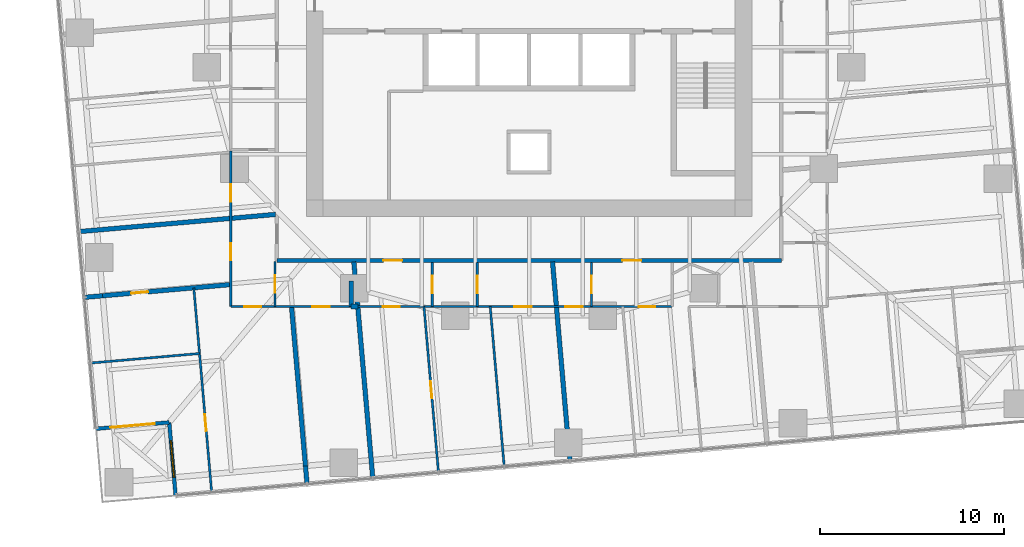
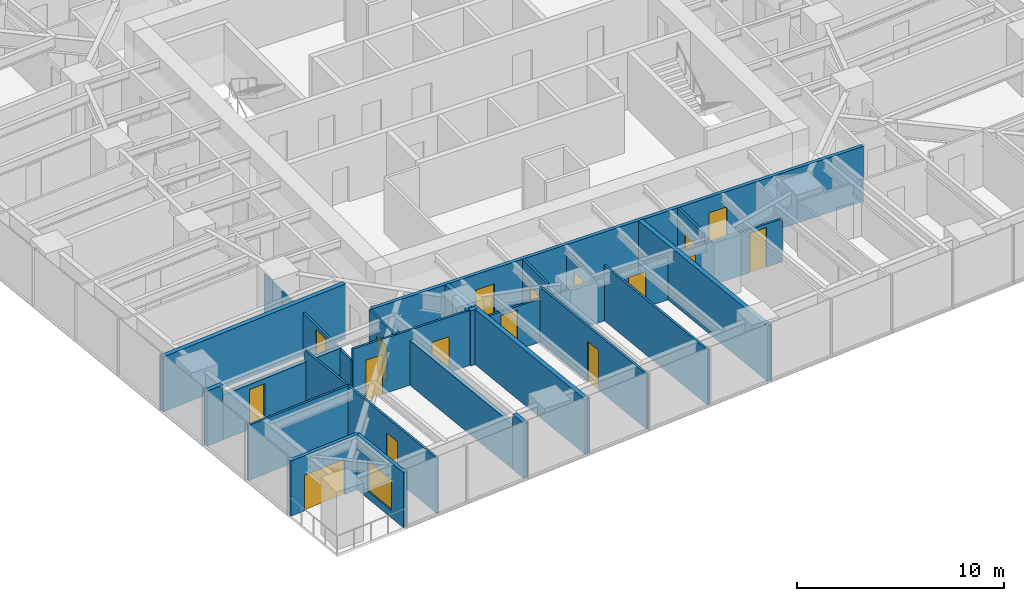
# One storey, part 8 of 14: 23 walls, 18 doors, 1 window, 19 openings.
"""IFC4 building model written with IfcOpenShell, lengths in metres."""

from ifc_helpers import new_model, si_unit, direction, frame, frame_2d, origin, place, context, subcontext, project, spatial, rectangle, extrude, material, layer, layer_set, type_object, element, fill, save


model = new_model("IFC4")

# Units and contexts
model_context = context("Model", 3, precision=1e-05, world=origin(), true_north=direction((0.0, 1.0)))
body_context = subcontext(model_context, "Body", "Model", "MODEL_VIEW")
ifc_project = project(units=[si_unit("LENGTHUNIT", "METRE"), si_unit("AREAUNIT", "SQUARE_METRE"), si_unit("VOLUMEUNIT", "CUBIC_METRE"), si_unit("PLANEANGLEUNIT", "RADIAN"), si_unit("MASSUNIT", "GRAM", prefix="KILO")], contexts=[model_context])

# Site, building, storey
site_placement = place(None, origin())
site = spatial("IfcSite", under=ifc_project, at=site_placement, CompositionType="ELEMENT")
building_placement = place(site_placement, origin())
building = spatial("IfcBuilding", under=site, at=building_placement, Name="Torsade Residences", CompositionType="ELEMENT")
storey_placement = place(building_placement, frame((0.0, 0.0, 64.199951171875)))
storey = spatial("IfcBuildingStorey", under=building, at=storey_placement, Name="L17", CompositionType="ELEMENT", Elevation=64.199951171875)

# Wall, openings, doors
ifc_material_1 = material(Name="Plasterboard on steel stud", Category="steel")
ifc_layer_1 = layer(ifc_material_1, 0.199951171875)
ifc_layer_set_1 = layer_set([ifc_layer_1], Name="Plasterboard on steel stud")
wall_type_1 = type_object("IfcWallType", Name="CORRIDOR WALL 200", PredefinedType="PARTITIONING", material=ifc_layer_set_1)
wall_1_placement = place(storey_placement, frame((26.300048828125, 15.5, 0.0), z_axis=(0.0, 0.0, 1.0), x_axis=(1.0, 0.0, 0.0)))
wall_1 = element("IfcWall", 1, at=wall_1_placement, inside=storey, type_object=wall_type_1, Name="Corridor wall L17", PredefinedType="PARTITIONING", context=body_context, shape_type="SweptSolid", body=[
    extrude(rectangle(XDim=27.39990234375, YDim=0.199951171875, at=frame_2d((13.699951171875, 0.0))), origin(), (0.0, 0.0, 1.0), 3.25),
])
opening_1_placement = place(wall_1_placement, frame((18.775634765625, 0.0, 0.0)))
opening_1 = element("IfcOpeningElement", 2, at=opening_1_placement, cuts=wall_1, Name="Opening D01", PredefinedType="OPENING", context=body_context, shape_type="SweptSolid", body=[
    extrude(rectangle(XDim=1.02001953125, YDim=2.340087890625, at=frame_2d((0.510009765625, 1.169921875))), frame((0.0, 0.10986328125, 0.0), z_axis=(0.0, -1.0, 0.0), x_axis=(1.0, 0.0, 0.0)), (0.0, 0.0, 1.0), 0.219970703125),
])
opening_2_placement = place(wall_1_placement, frame((5.79296875, 0.0, 0.0)))
opening_2 = element("IfcOpeningElement", 3, at=opening_2_placement, cuts=wall_1, Name="Opening D01", PredefinedType="OPENING", context=body_context, shape_type="SweptSolid", body=[
    extrude(rectangle(XDim=1.02001953125, YDim=2.340087890625, at=frame_2d((0.510009765625, 1.169921875))), frame((0.0, 0.10986328125, 0.0), z_axis=(0.0, -1.0, 0.0), x_axis=(1.0, 0.0, 0.0)), (0.0, 0.0, 1.0), 0.219970703125),
])
ifc_material_2 = material(Name="Solid-core timber fire door", Category="wood")
door_type_1 = type_object("IfcDoorType", Name="APARTMENT ENTRY DOOR 1020x2340", OperationType="NOTDEFINED", PredefinedType="DOOR", material=ifc_material_2)
door_1_placement = place(opening_1_placement, origin())
door_1 = element("IfcDoor", 4, at=door_1_placement, inside=storey, type_object=door_type_1, Name="Door Residential corridor to Kitchen and dining", OperationType="SINGLE_SWING_RIGHT", OverallHeight=2.340087890625, OverallWidth=1.02001953125, PredefinedType="DOOR", context=body_context, shape_type="SweptSolid", body=[
    extrude(rectangle(XDim=1.02001953125, YDim=2.340087890625, at=frame_2d((0.510009765625, 1.169921875))), frame((0.0, 0.02490234375, 0.0), z_axis=(0.0, -1.0, 0.0), x_axis=(1.0, 0.0, 0.0)), (0.0, 0.0, 1.0), 0.050048828125),
])
fill(opening_1, door_1)
door_2_placement = place(opening_2_placement, origin())
door_2 = element("IfcDoor", 5, at=door_2_placement, inside=storey, type_object=door_type_1, Name="Door Residential corridor to Kitchen and dining", OperationType="SINGLE_SWING_LEFT", OverallHeight=2.340087890625, OverallWidth=1.02001953125, PredefinedType="DOOR", context=body_context, shape_type="SweptSolid", body=[
    extrude(rectangle(XDim=1.02001953125, YDim=2.340087890625, at=frame_2d((0.510009765625, 1.169921875))), frame((0.0, 0.02490234375, 0.0), z_axis=(0.0, -1.0, 0.0), x_axis=(1.0, 0.0, 0.0)), (0.0, 0.0, 1.0), 0.050048828125),
])
fill(opening_2, door_2)

ifc_material_3 = material(Name="Plasterboard on steel stud", Category="steel")
ifc_layer_2 = layer(ifc_material_3, 0.1201171875)
ifc_layer_set_2 = layer_set([ifc_layer_2], Name="Plasterboard on steel stud")
wall_type_2 = type_object("IfcWallType", Name="PARTITION 120", PredefinedType="PARTITIONING", material=ifc_layer_set_2)
wall_2_placement = place(storey_placement, frame((23.800048828125, 13.0, 0.0), z_axis=(0.0, 0.0, 1.0), x_axis=(0.0, 1.0, 0.0)))
wall_2 = element("IfcWall", 6, at=wall_2_placement, inside=storey, type_object=wall_type_2, Name="Partition L17", PredefinedType="PARTITIONING", context=body_context, shape_type="SweptSolid", body=[
    extrude(rectangle(XDim=8.438720703125, YDim=0.1201171875, at=frame_2d((4.21923828125, 0.0))), origin(), (0.0, 0.0, 1.0), 2.550048828125),
])
opening_3_placement = place(wall_2_placement, frame((2.508056640625, 0.0, 0.0)))
opening_3 = element("IfcOpeningElement", 7, at=opening_3_placement, cuts=wall_2, Name="Opening D02", PredefinedType="OPENING", context=body_context, shape_type="SweptSolid", body=[
    extrude(rectangle(XDim=0.919921875, YDim=2.340087890625, at=frame_2d((0.4599609375, 1.169921875))), frame((0.0, 0.070068359375, 0.0), z_axis=(0.0, -1.0, 0.0), x_axis=(1.0, 0.0, 0.0)), (0.0, 0.0, 1.0), 0.14013671875),
])
opening_4_placement = place(wall_2_placement, frame((5.685302734375, 0.0, 0.0)))
opening_4 = element("IfcOpeningElement", 8, at=opening_4_placement, cuts=wall_2, Name="Opening D05", PredefinedType="OPENING", context=body_context, shape_type="SweptSolid", body=[
    extrude(rectangle(XDim=0.9599609375, YDim=2.10009765625, at=frame_2d((0.47998046875, 1.050048828125))), frame((0.0, 0.070068359375, 0.0), z_axis=(0.0, -1.0, 0.0), x_axis=(1.0, 0.0, 0.0)), (0.0, 0.0, 1.0), 0.14013671875),
])
ifc_material_4 = material(Name="Hollow-core timber door in a steel cavity frame", Category="steel")
door_type_2 = type_object("IfcDoorType", Name="BATHROOM CAVITY SLIDING DOOR 960", OperationType="SLIDING_TO_LEFT", PredefinedType="DOOR", material=ifc_material_4)
door_3_placement = place(opening_4_placement, origin())
door_3 = element("IfcDoor", 9, at=door_3_placement, inside=storey, type_object=door_type_2, Name="Door Bathroom to Bedroom 2", OperationType="SLIDING_TO_LEFT", OverallHeight=2.10009765625, OverallWidth=0.9599609375, PredefinedType="DOOR", context=body_context, shape_type="SweptSolid", body=[
    extrude(rectangle(XDim=0.9599609375, YDim=2.10009765625, at=frame_2d((0.47998046875, 1.050048828125))), frame((0.0, 0.02490234375, 0.0), z_axis=(0.0, -1.0, 0.0), x_axis=(1.0, 0.0, 0.0)), (0.0, 0.0, 1.0), 0.050048828125),
])
fill(opening_4, door_3)
ifc_material_5 = material(Name="Hollow-core timber door", Category="wood")
door_type_3 = type_object("IfcDoorType", Name="INTERNAL DOOR 920x2340", OperationType="NOTDEFINED", PredefinedType="DOOR", material=ifc_material_5)
door_4_placement = place(opening_3_placement, origin())
door_4 = element("IfcDoor", 10, at=door_4_placement, inside=storey, type_object=door_type_3, Name="Door Kitchen and dining to Study", OperationType="SINGLE_SWING_LEFT", OverallHeight=2.340087890625, OverallWidth=0.919921875, PredefinedType="DOOR", context=body_context, shape_type="SweptSolid", body=[
    extrude(rectangle(XDim=0.919921875, YDim=2.340087890625, at=frame_2d((0.4599609375, 1.169921875))), frame((0.0, 0.02490234375, 0.0), z_axis=(0.0, -1.0, 0.0), x_axis=(1.0, 0.0, 0.0)), (0.0, 0.0, 1.0), 0.050048828125),
])
fill(opening_3, door_4)

# Wall, opening, door
wall_3_placement = place(storey_placement, frame((26.199951171875, 15.449951171875, 0.0), z_axis=(0.0, 0.0, 1.0), x_axis=(0.0, -1.0, 0.0)))
wall_3 = element("IfcWall", 11, at=wall_3_placement, inside=storey, type_object=wall_type_2, Name="Partition L17", PredefinedType="PARTITIONING", context=body_context, shape_type="SweptSolid", body=[
    extrude(rectangle(XDim=2.449951171875, YDim=0.1201171875, at=frame_2d((1.22509765625, 0.0))), origin(), (0.0, 0.0, 1.0), 3.25),
])
opening_5_placement = place(wall_3_placement, frame((0.7451171875, 0.0, 0.0)))
opening_5 = element("IfcOpeningElement", 12, at=opening_5_placement, cuts=wall_3, Name="Opening D05", PredefinedType="OPENING", context=body_context, shape_type="SweptSolid", body=[
    extrude(rectangle(XDim=0.9599609375, YDim=2.10009765625, at=frame_2d((0.47998046875, 1.050048828125))), frame((0.0, 0.070068359375, 0.0), z_axis=(0.0, -1.0, 0.0), x_axis=(1.0, 0.0, 0.0)), (0.0, 0.0, 1.0), 0.14013671875),
])
door_5_placement = place(opening_5_placement, origin())
door_5 = element("IfcDoor", 13, at=door_5_placement, inside=storey, type_object=door_type_2, Name="Door Kitchen and dining to Bathroom", OperationType="SLIDING_TO_LEFT", OverallHeight=2.10009765625, OverallWidth=0.9599609375, PredefinedType="DOOR", context=body_context, shape_type="SweptSolid", body=[
    extrude(rectangle(XDim=0.9599609375, YDim=2.10009765625, at=frame_2d((0.47998046875, 1.050048828125))), frame((0.0, 0.02490234375, 0.0), z_axis=(0.0, -1.0, 0.0), x_axis=(1.0, 0.0, 0.0)), (0.0, 0.0, 1.0), 0.050048828125),
])
fill(opening_5, door_5)

# Wall, openings, doors
wall_4_placement = place(storey_placement, frame((30.333251953125, 13.0, 0.0), z_axis=(0.0, 0.0, 1.0), x_axis=(-1.0, 0.0, 0.0)))
wall_4 = element("IfcWall", 14, at=wall_4_placement, inside=storey, type_object=wall_type_2, Name="Partition L17", PredefinedType="PARTITIONING", context=body_context, shape_type="SweptSolid", body=[
    extrude(rectangle(XDim=6.533203125, YDim=0.1201171875, at=frame_2d((3.2666015625, 0.0))), origin(), (0.0, 0.0, 1.0), 3.25),
])
opening_6_placement = place(wall_4_placement, frame((4.873291015625, 0.0, 0.0)))
opening_6 = element("IfcOpeningElement", 15, at=opening_6_placement, cuts=wall_4, Name="Opening D02", PredefinedType="OPENING", context=body_context, shape_type="SweptSolid", body=[
    extrude(rectangle(XDim=0.919921875, YDim=2.340087890625, at=frame_2d((0.4599609375, 1.169921875))), frame((0.0, 0.070068359375, 0.0), z_axis=(0.0, -1.0, 0.0), x_axis=(1.0, 0.0, 0.0)), (0.0, 0.0, 1.0), 0.14013671875),
])
opening_7_placement = place(wall_4_placement, frame((1.162109375, 0.0, 0.0)))
opening_7 = element("IfcOpeningElement", 16, at=opening_7_placement, cuts=wall_4, Name="Opening D05", PredefinedType="OPENING", context=body_context, shape_type="SweptSolid", body=[
    extrude(rectangle(XDim=0.9599609375, YDim=2.10009765625, at=frame_2d((0.47998046875, 1.050048828125))), frame((0.0, 0.070068359375, 0.0), z_axis=(0.0, -1.0, 0.0), x_axis=(1.0, 0.0, 0.0)), (0.0, 0.0, 1.0), 0.14013671875),
])
door_6_placement = place(opening_7_placement, origin())
door_6 = element("IfcDoor", 17, at=door_6_placement, inside=storey, type_object=door_type_2, Name="Door Bathroom to Bedroom 1", OperationType="SLIDING_TO_LEFT", OverallHeight=2.10009765625, OverallWidth=0.9599609375, PredefinedType="DOOR", context=body_context, shape_type="SweptSolid", body=[
    extrude(rectangle(XDim=0.9599609375, YDim=2.10009765625, at=frame_2d((0.47998046875, 1.050048828125))), frame((0.0, 0.02490234375, 0.0), z_axis=(0.0, -1.0, 0.0), x_axis=(1.0, 0.0, 0.0)), (0.0, 0.0, 1.0), 0.050048828125),
])
fill(opening_7, door_6)
door_7_placement = place(opening_6_placement, origin())
door_7 = element("IfcDoor", 18, at=door_7_placement, inside=storey, type_object=door_type_3, Name="Door Kitchen and dining to Living room", OperationType="SINGLE_SWING_LEFT", OverallHeight=2.340087890625, OverallWidth=0.919921875, PredefinedType="DOOR", context=body_context, shape_type="SweptSolid", body=[
    extrude(rectangle(XDim=0.919921875, YDim=2.340087890625, at=frame_2d((0.4599609375, 1.169921875))), frame((0.0, 0.02490234375, 0.0), z_axis=(0.0, -1.0, 0.0), x_axis=(1.0, 0.0, 0.0)), (0.0, 0.0, 1.0), 0.050048828125),
])
fill(opening_6, door_7)

# Wall, opening, door
wall_5_placement = place(storey_placement, frame((22.75927734375, 2.934326171875, 0.0), z_axis=(0.0, 0.0, 1.0), x_axis=(-0.087130477128, 0.996196908224, 0.0)))
wall_5 = element("IfcWall", 19, at=wall_5_placement, inside=storey, type_object=wall_type_2, Name="Partition L17", PredefinedType="PARTITIONING", context=body_context, shape_type="SweptSolid", body=[
    extrude(rectangle(XDim=11.126708984375, YDim=0.1201171875, at=frame_2d((5.5634765625, 0.0))), origin(), (0.0, 0.0, 1.0), 3.25),
])
opening_8_placement = place(wall_5_placement, frame((3.316650390625, 0.0, 0.0)))
opening_8 = element("IfcOpeningElement", 20, at=opening_8_placement, cuts=wall_5, Name="Opening D02", PredefinedType="OPENING", context=body_context, shape_type="SweptSolid", body=[
    extrude(rectangle(XDim=0.919921875, YDim=2.340087890625, at=frame_2d((0.4599609375, 1.169921875))), frame((0.0, 0.070068359375, 0.0), z_axis=(0.0, -1.0, 0.0), x_axis=(1.0, 0.0, 0.0)), (0.0, 0.0, 1.0), 0.14013671875),
])
door_8_placement = place(opening_8_placement, origin())
door_8 = element("IfcDoor", 21, at=door_8_placement, inside=storey, type_object=door_type_3, Name="Door Living room to Bedroom 2", OperationType="SINGLE_SWING_RIGHT", OverallHeight=2.340087890625, OverallWidth=0.919921875, PredefinedType="DOOR", context=body_context, shape_type="SweptSolid", body=[
    extrude(rectangle(XDim=0.919921875, YDim=2.340087890625, at=frame_2d((0.4599609375, 1.169921875))), frame((0.0, 0.02490234375, 0.0), z_axis=(0.0, -1.0, 0.0), x_axis=(1.0, 0.0, 0.0)), (0.0, 0.0, 1.0), 0.050048828125),
])
fill(opening_8, door_8)

# Wall
wall_6_placement = place(storey_placement, frame((16.198486328125, 9.9326171875, 0.0), z_axis=(0.0, 0.0, 1.0), x_axis=(0.996196712973, 0.08713270948, 0.0)))
element("IfcWall", 22, at=wall_6_placement, inside=storey, type_object=wall_type_2, Name="Partition L17", PredefinedType="PARTITIONING", context=body_context, shape_type="SweptSolid", body=[
    extrude(rectangle(XDim=5.926025390625, YDim=0.1201171875, at=frame_2d((2.962890625, 0.0))), origin(), (0.0, 0.0, 1.0), 3.25),
])

# Wall, opening, door
wall_7_placement = place(storey_placement, frame((34.738037109375, 15.39990234375, 0.0), z_axis=(0.0, 0.0, 1.0), x_axis=(0.0, -1.0, 0.0)))
wall_7 = element("IfcWall", 23, at=wall_7_placement, inside=storey, type_object=wall_type_2, Name="Partition L17", PredefinedType="PARTITIONING", context=body_context, shape_type="SweptSolid", body=[
    extrude(rectangle(XDim=2.39990234375, YDim=0.1201171875, at=frame_2d((1.199951171875, 0.0))), origin(), (0.0, 0.0, 1.0), 3.25),
])
opening_9_placement = place(wall_7_placement, frame((0.719970703125, 0.0, 0.0)))
opening_9 = element("IfcOpeningElement", 24, at=opening_9_placement, cuts=wall_7, Name="Opening D05", PredefinedType="OPENING", context=body_context, shape_type="SweptSolid", body=[
    extrude(rectangle(XDim=0.9599609375, YDim=2.10009765625, at=frame_2d((0.47998046875, 1.050048828125))), frame((0.0, 0.070068359375, 0.0), z_axis=(0.0, -1.0, 0.0), x_axis=(1.0, 0.0, 0.0)), (0.0, 0.0, 1.0), 0.14013671875),
])
door_9_placement = place(opening_9_placement, origin())
door_9 = element("IfcDoor", 25, at=door_9_placement, inside=storey, type_object=door_type_2, Name="Door Kitchen and dining to Ensuite", OperationType="SLIDING_TO_LEFT", OverallHeight=2.10009765625, OverallWidth=0.9599609375, PredefinedType="DOOR", context=body_context, shape_type="SweptSolid", body=[
    extrude(rectangle(XDim=0.9599609375, YDim=2.10009765625, at=frame_2d((0.47998046875, 1.050048828125))), frame((0.0, 0.02490234375, 0.0), z_axis=(0.0, -1.0, 0.0), x_axis=(1.0, 0.0, 0.0)), (0.0, 0.0, 1.0), 0.050048828125),
])
fill(opening_9, door_9)

# Wall, openings, doors
wall_8_placement = place(storey_placement, frame((47.7783203125, 13.0, 0.0), z_axis=(0.0, 0.0, 1.0), x_axis=(-1.0, 0.0, 0.0)))
wall_8 = element("IfcWall", 26, at=wall_8_placement, inside=storey, type_object=wall_type_2, Name="Partition L17", PredefinedType="PARTITIONING", context=body_context, shape_type="SweptSolid", body=[
    extrude(rectangle(XDim=17.08203125, YDim=0.1201171875, at=frame_2d((8.541015625, 0.0))), origin(), (0.0, 0.0, 1.0), 2.550048828125),
])
opening_10_placement = place(wall_8_placement, frame((0.912109375, 0.0, 0.0)))
opening_10 = element("IfcOpeningElement", 27, at=opening_10_placement, cuts=wall_8, Name="Opening D02", PredefinedType="OPENING", context=body_context, shape_type="SweptSolid", body=[
    extrude(rectangle(XDim=0.919921875, YDim=2.340087890625, at=frame_2d((0.4599609375, 1.169921875))), frame((0.0, 0.070068359375, 0.0), z_axis=(0.0, -1.0, 0.0), x_axis=(1.0, 0.0, 0.0)), (0.0, 0.0, 1.0), 0.14013671875),
])
opening_11_placement = place(wall_8_placement, frame((14.79833984375, 0.0, 0.0)))
opening_11 = element("IfcOpeningElement", 28, at=opening_11_placement, cuts=wall_8, Name="Opening D02", PredefinedType="OPENING", context=body_context, shape_type="SweptSolid", body=[
    extrude(rectangle(XDim=0.919921875, YDim=2.340087890625, at=frame_2d((0.4599609375, 1.169921875))), frame((0.0, 0.070068359375, 0.0), z_axis=(0.0, -1.0, 0.0), x_axis=(1.0, 0.0, 0.0)), (0.0, 0.0, 1.0), 0.14013671875),
])
opening_12_placement = place(wall_8_placement, frame((4.85791015625, 0.0, 0.0)))
opening_12 = element("IfcOpeningElement", 29, at=opening_12_placement, cuts=wall_8, Name="Opening D05", PredefinedType="OPENING", context=body_context, shape_type="SweptSolid", body=[
    extrude(rectangle(XDim=0.9599609375, YDim=2.10009765625, at=frame_2d((0.47998046875, 1.050048828125))), frame((0.0, 0.070068359375, 0.0), z_axis=(0.0, -1.0, 0.0), x_axis=(1.0, 0.0, 0.0)), (0.0, 0.0, 1.0), 0.14013671875),
])
opening_13_placement = place(wall_8_placement, frame((7.634521484375, 0.0, 0.0)))
opening_13 = element("IfcOpeningElement", 30, at=opening_13_placement, cuts=wall_8, Name="Opening D05", PredefinedType="OPENING", context=body_context, shape_type="SweptSolid", body=[
    extrude(rectangle(XDim=0.9599609375, YDim=2.10009765625, at=frame_2d((0.47998046875, 1.050048828125))), frame((0.0, 0.070068359375, 0.0), z_axis=(0.0, -1.0, 0.0), x_axis=(1.0, 0.0, 0.0)), (0.0, 0.0, 1.0), 0.14013671875),
])
door_10_placement = place(opening_12_placement, origin())
door_10 = element("IfcDoor", 31, at=door_10_placement, inside=storey, type_object=door_type_2, Name="Door Ensuite to Living room", OperationType="SLIDING_TO_LEFT", OverallHeight=2.10009765625, OverallWidth=0.9599609375, PredefinedType="DOOR", context=body_context, shape_type="SweptSolid", body=[
    extrude(rectangle(XDim=0.9599609375, YDim=2.10009765625, at=frame_2d((0.47998046875, 1.050048828125))), frame((0.0, 0.02490234375, 0.0), z_axis=(0.0, -1.0, 0.0), x_axis=(1.0, 0.0, 0.0)), (0.0, 0.0, 1.0), 0.050048828125),
])
fill(opening_12, door_10)
door_11_placement = place(opening_13_placement, origin())
door_11 = element("IfcDoor", 32, at=door_11_placement, inside=storey, type_object=door_type_2, Name="Door Bathroom to Bedroom 2", OperationType="SLIDING_TO_LEFT", OverallHeight=2.10009765625, OverallWidth=0.9599609375, PredefinedType="DOOR", context=body_context, shape_type="SweptSolid", body=[
    extrude(rectangle(XDim=0.9599609375, YDim=2.10009765625, at=frame_2d((0.47998046875, 1.050048828125))), frame((0.0, 0.02490234375, 0.0), z_axis=(0.0, -1.0, 0.0), x_axis=(1.0, 0.0, 0.0)), (0.0, 0.0, 1.0), 0.050048828125),
])
fill(opening_13, door_11)
door_12_placement = place(opening_10_placement, origin())
door_12 = element("IfcDoor", 33, at=door_12_placement, inside=storey, type_object=door_type_3, Name="Door Kitchen and dining to Bedroom 1", OperationType="SINGLE_SWING_RIGHT", OverallHeight=2.340087890625, OverallWidth=0.919921875, PredefinedType="DOOR", context=body_context, shape_type="SweptSolid", body=[
    extrude(rectangle(XDim=0.919921875, YDim=2.340087890625, at=frame_2d((0.4599609375, 1.169921875))), frame((0.0, 0.02490234375, 0.0), z_axis=(0.0, -1.0, 0.0), x_axis=(1.0, 0.0, 0.0)), (0.0, 0.0, 1.0), 0.050048828125),
])
fill(opening_10, door_12)
door_13_placement = place(opening_11_placement, origin())
door_13 = element("IfcDoor", 34, at=door_13_placement, inside=storey, type_object=door_type_3, Name="Door Kitchen and dining to Living room", OperationType="SINGLE_SWING_LEFT", OverallHeight=2.340087890625, OverallWidth=0.919921875, PredefinedType="DOOR", context=body_context, shape_type="SweptSolid", body=[
    extrude(rectangle(XDim=0.919921875, YDim=2.340087890625, at=frame_2d((0.4599609375, 1.169921875))), frame((0.0, 0.02490234375, 0.0), z_axis=(0.0, -1.0, 0.0), x_axis=(1.0, 0.0, 0.0)), (0.0, 0.0, 1.0), 0.050048828125),
])
fill(opening_11, door_13)

# Wall, opening, door
wall_9_placement = place(storey_placement, frame((37.18505859375, 13.0, 0.0), z_axis=(0.0, 0.0, 1.0), x_axis=(0.0, 1.0, 0.0)))
wall_9 = element("IfcWall", 35, at=wall_9_placement, inside=storey, type_object=wall_type_2, Name="Partition L17", PredefinedType="PARTITIONING", context=body_context, shape_type="SweptSolid", body=[
    extrude(rectangle(XDim=2.39990234375, YDim=0.1201171875, at=frame_2d((1.199951171875, 0.0))), origin(), (0.0, 0.0, 1.0), 2.796142578125),
])
opening_14_placement = place(wall_9_placement, frame((0.719970703125, 0.0, 0.0)))
opening_14 = element("IfcOpeningElement", 36, at=opening_14_placement, cuts=wall_9, Name="Opening D05", PredefinedType="OPENING", context=body_context, shape_type="SweptSolid", body=[
    extrude(rectangle(XDim=0.9599609375, YDim=2.10009765625, at=frame_2d((0.47998046875, 1.050048828125))), frame((0.0, 0.070068359375, 0.0), z_axis=(0.0, -1.0, 0.0), x_axis=(1.0, 0.0, 0.0)), (0.0, 0.0, 1.0), 0.14013671875),
])
door_14_placement = place(opening_14_placement, origin())
door_14 = element("IfcDoor", 37, at=door_14_placement, inside=storey, type_object=door_type_2, Name="Door Ensuite to Bathroom", OperationType="SLIDING_TO_LEFT", OverallHeight=2.10009765625, OverallWidth=0.9599609375, PredefinedType="DOOR", context=body_context, shape_type="SweptSolid", body=[
    extrude(rectangle(XDim=0.9599609375, YDim=2.10009765625, at=frame_2d((0.47998046875, 1.050048828125))), frame((0.0, 0.02490234375, 0.0), z_axis=(0.0, -1.0, 0.0), x_axis=(1.0, 0.0, 0.0)), (0.0, 0.0, 1.0), 0.050048828125),
])
fill(opening_14, door_14)

wall_10_placement = place(storey_placement, frame((34.293212890625, 13.0, 0.0), z_axis=(0.0, 0.0, 1.0), x_axis=(0.087160907995, -0.996194246178, 0.0)))
wall_10 = element("IfcWall", 38, at=wall_10_placement, inside=storey, type_object=wall_type_2, Name="Partition L17", PredefinedType="PARTITIONING", context=body_context, shape_type="SweptSolid", body=[
    extrude(rectangle(XDim=9.022216796875, YDim=0.1201171875, at=frame_2d((4.51123046875, 0.0))), origin(), (0.0, 0.0, 1.0), 3.25),
])
opening_15_placement = place(wall_10_placement, frame((4.071044921875, 0.0, 0.0)))
opening_15 = element("IfcOpeningElement", 39, at=opening_15_placement, cuts=wall_10, Name="Opening D02", PredefinedType="OPENING", context=body_context, shape_type="SweptSolid", body=[
    extrude(rectangle(XDim=0.919921875, YDim=2.340087890625, at=frame_2d((0.4599609375, 1.169921875))), frame((0.0, 0.070068359375, 0.0), z_axis=(0.0, -1.0, 0.0), x_axis=(1.0, 0.0, 0.0)), (0.0, 0.0, 1.0), 0.14013671875),
])
door_15_placement = place(opening_15_placement, origin())
door_15 = element("IfcDoor", 40, at=door_15_placement, inside=storey, type_object=door_type_3, Name="Door Living room to Bedroom 1", OperationType="SINGLE_SWING_LEFT", OverallHeight=2.340087890625, OverallWidth=0.919921875, PredefinedType="DOOR", context=body_context, shape_type="SweptSolid", body=[
    extrude(rectangle(XDim=0.919921875, YDim=2.340087890625, at=frame_2d((0.4599609375, 1.169921875))), frame((0.0, 0.02490234375, 0.0), z_axis=(0.0, -1.0, 0.0), x_axis=(1.0, 0.0, 0.0)), (0.0, 0.0, 1.0), 0.050048828125),
])
fill(opening_15, door_15)

# Wall
wall_11_placement = place(storey_placement, frame((37.890380859375, 13.0, 0.0), z_axis=(0.0, 0.0, 1.0), x_axis=(0.087158256162, -0.996194478193, 0.0)))
element("IfcWall", 41, at=wall_11_placement, inside=storey, type_object=wall_type_2, Name="Partition L17", PredefinedType="PARTITIONING", context=body_context, shape_type="SweptSolid", body=[
    extrude(rectangle(XDim=8.708740234375, YDim=0.1201171875, at=frame_2d((4.3544921875, 0.0))), origin(), (0.0, 0.0, 1.0), 3.25),
])

# Wall, opening, door
wall_12_placement = place(storey_placement, frame((43.39306640625, 13.0, 0.0), z_axis=(0.0, 0.0, 1.0), x_axis=(0.0, 1.0, 0.0)))
wall_12 = element("IfcWall", 42, at=wall_12_placement, inside=storey, type_object=wall_type_2, Name="Partition L17", PredefinedType="PARTITIONING", context=body_context, shape_type="SweptSolid", body=[
    extrude(rectangle(XDim=2.39990234375, YDim=0.1201171875, at=frame_2d((1.199951171875, 0.0))), origin(), (0.0, 0.0, 1.0), 3.25),
])
opening_16_placement = place(wall_12_placement, frame((0.719970703125, 0.0, 0.0)))
opening_16 = element("IfcOpeningElement", 43, at=opening_16_placement, cuts=wall_12, Name="Opening D05", PredefinedType="OPENING", context=body_context, shape_type="SweptSolid", body=[
    extrude(rectangle(XDim=0.9599609375, YDim=2.10009765625, at=frame_2d((0.47998046875, 1.050048828125))), frame((0.0, 0.070068359375, 0.0), z_axis=(0.0, -1.0, 0.0), x_axis=(1.0, 0.0, 0.0)), (0.0, 0.0, 1.0), 0.14013671875),
])
door_16_placement = place(opening_16_placement, origin())
door_16 = element("IfcDoor", 44, at=door_16_placement, inside=storey, type_object=door_type_2, Name="Door Kitchen and dining to Ensuite", OperationType="SLIDING_TO_LEFT", OverallHeight=2.10009765625, OverallWidth=0.9599609375, PredefinedType="DOOR", context=body_context, shape_type="SweptSolid", body=[
    extrude(rectangle(XDim=0.9599609375, YDim=2.10009765625, at=frame_2d((0.47998046875, 1.050048828125))), frame((0.0, 0.02490234375, 0.0), z_axis=(0.0, -1.0, 0.0), x_axis=(1.0, 0.0, 0.0)), (0.0, 0.0, 1.0), 0.050048828125),
])
fill(opening_16, door_16)

# Walls
ifc_material_6 = material(Name="Masonry-lined stud party wall", Category="masonry")
ifc_layer_3 = layer(ifc_material_6, 0.25)
ifc_layer_set_3 = layer_set([ifc_layer_3], Name="Masonry-lined stud party wall")
wall_type_3 = type_object("IfcWallType", Name="PARTY WALL 250", PredefinedType="PARTITIONING", material=ifc_layer_set_3)
wall_13_placement = place(storey_placement, frame((15.533935546875, 17.068359375, 0.0), z_axis=(0.0, 0.0, 1.0), x_axis=(0.996193939644, 0.08716441141, 0.0)))
element("IfcWall", 45, at=wall_13_placement, inside=storey, type_object=wall_type_3, Name="Party wall L17", PredefinedType="PARTITIONING", context=body_context, shape_type="SweptSolid", body=[
    extrude(rectangle(XDim=10.73583984375, YDim=0.25, at=frame_2d((5.367919921875, 0.0))), origin(), (0.0, 0.0, 1.0), 3.25),
])
wall_14_placement = place(storey_placement, frame((42.222412109375, 4.596923828125, 0.0), z_axis=(0.0, 0.0, 1.0), x_axis=(-0.087140211333, 0.996196056792, 0.0)))
element("IfcWall", 46, at=wall_14_placement, inside=storey, type_object=wall_type_3, Name="Party wall L17", PredefinedType="PARTITIONING", context=body_context, shape_type="SweptSolid", body=[
    extrude(rectangle(XDim=10.873291015625, YDim=0.25, at=frame_2d((5.4365234375, 0.0))), origin(), (0.0, 0.0, 1.0), 3.25),
])
wall_15_placement = place(storey_placement, frame((31.513427734375, 3.66015625, 0.0), z_axis=(0.0, 0.0, 1.0), x_axis=(-0.087168232078, 0.996193605338, 0.0)))
element("IfcWall", 47, at=wall_15_placement, inside=storey, type_object=wall_type_3, Name="Party wall L17", PredefinedType="PARTITIONING", context=body_context, shape_type="SweptSolid", body=[
    extrude(rectangle(XDim=11.813720703125, YDim=0.25, at=frame_2d((5.90673828125, 0.0))), origin(), (0.0, 0.0, 1.0), 3.25),
])
wall_16_placement = place(storey_placement, frame((30.333251953125, 14.39599609375, 0.0), z_axis=(0.0, 0.0, 1.0), x_axis=(0.0, -1.0, 0.0)))
element("IfcWall", 48, at=wall_16_placement, inside=storey, type_object=wall_type_3, Name="Party wall L17", PredefinedType="PARTITIONING", context=body_context, shape_type="SweptSolid", body=[
    extrude(rectangle(XDim=1.39599609375, YDim=0.25, at=frame_2d((0.697998046875, 0.0))), origin(), (0.0, 0.0, 1.0), 3.25),
])
wall_17_placement = place(storey_placement, frame((15.88623046875, 13.502197265625, 0.0), z_axis=(0.0, 0.0, 1.0), x_axis=(0.996187918168, 0.087233202944, 0.0)))
element("IfcWall", 49, at=wall_17_placement, inside=storey, type_object=wall_type_3, Name="Party wall L17", PredefinedType="PARTITIONING", context=body_context, shape_type="SweptSolid", body=[
    extrude(rectangle(XDim=0.9599609375, YDim=0.25, at=frame_2d((0.47998046875, 0.0))), origin(), (0.0, 0.0, 1.0), 3.25),
])

# Wall, opening, door
wall_18_placement = place(storey_placement, frame((16.842529296875, 13.5859375, 0.0), z_axis=(0.0, 0.0, 1.0), x_axis=(0.996195462691, 0.087147002895, 0.0)))
wall_18 = element("IfcWall", 50, at=wall_18_placement, inside=storey, type_object=wall_type_3, Name="Party wall L17", PredefinedType="PARTITIONING", context=body_context, shape_type="SweptSolid", body=[
    extrude(rectangle(XDim=6.984130859375, YDim=0.25, at=frame_2d((3.4921875, 0.0))), origin(), (0.0, 0.0, 1.0), 2.637939453125),
])
opening_17_placement = place(wall_18_placement, frame((1.548095703125, 0.0, 0.0)))
opening_17 = element("IfcOpeningElement", 51, at=opening_17_placement, cuts=wall_18, Name="Opening D02", PredefinedType="OPENING", context=body_context, shape_type="SweptSolid", body=[
    extrude(rectangle(XDim=0.919921875, YDim=2.340087890625, at=frame_2d((0.4599609375, 1.169921875))), frame((0.0, 0.135009765625, 0.0), z_axis=(0.0, -1.0, 0.0), x_axis=(1.0, 0.0, 0.0)), (0.0, 0.0, 1.0), 0.27001953125),
])
door_17_placement = place(opening_17_placement, origin())
door_17 = element("IfcDoor", 52, at=door_17_placement, inside=storey, type_object=door_type_3, Name="Door Study to Family room", OperationType="SINGLE_SWING_RIGHT", OverallHeight=2.340087890625, OverallWidth=0.919921875, PredefinedType="DOOR", context=body_context, shape_type="SweptSolid", body=[
    extrude(rectangle(XDim=0.919921875, YDim=2.340087890625, at=frame_2d((0.4599609375, 1.169921875))), frame((0.0, 0.02490234375, 0.0), z_axis=(0.0, -1.0, 0.0), x_axis=(1.0, 0.0, 0.0)), (0.0, 0.0, 1.0), 0.050048828125),
])
fill(opening_17, door_17)

# Walls
wall_19_placement = place(storey_placement, frame((27.09912109375, 13.0, 0.0), z_axis=(0.0, 0.0, 1.0), x_axis=(0.087158236544, -0.99619447991, 0.0)))
element("IfcWall", 53, at=wall_19_placement, inside=storey, type_object=wall_type_3, Name="Party wall L17", PredefinedType="PARTITIONING", context=body_context, shape_type="SweptSolid", body=[
    extrude(rectangle(XDim=8.68896484375, YDim=0.25, at=frame_2d((4.344482421875, 0.0))), origin(), (0.0, 0.0, 1.0), 2.637939453125),
])
wall_20_placement = place(storey_placement, frame((27.8564453125, 4.343994140625, 0.0), z_axis=(0.0, 0.0, 1.0), x_axis=(0.087233202944, -0.996187918168, 0.0)))
element("IfcWall", 54, at=wall_20_placement, inside=storey, type_object=wall_type_3, Name="Party wall L17", PredefinedType="PARTITIONING", context=body_context, shape_type="SweptSolid", body=[
    extrude(rectangle(XDim=0.9599609375, YDim=0.25, at=frame_2d((0.47998046875, 0.0))), origin(), (0.0, 0.0, 1.0), 3.25),
])
wall_21_placement = place(storey_placement, frame((30.333251953125, 13.0, 0.0), z_axis=(0.0, 0.0, 1.0), x_axis=(1.0, 0.0, 0.0)))
element("IfcWall", 55, at=wall_21_placement, inside=storey, type_object=wall_type_3, Name="Party wall L17", PredefinedType="PARTITIONING", context=body_context, shape_type="SweptSolid", body=[
    extrude(rectangle(XDim=0.363037109375, YDim=0.25, at=frame_2d((0.181640625, 0.0))), origin(), (0.0, 0.0, 1.0), 3.25),
])

# Wall, opening, door
ifc_material_7 = material(Name="Stone-faced precast concrete 40 MPa panel", Category="masonry")
ifc_layer_4 = layer(ifc_material_7, 0.199951171875)
ifc_layer_set_4 = layer_set([ifc_layer_4], Name="Stone-faced precast concrete 40 MPa panel")
wall_type_4 = type_object("IfcWallType", Name="TERRACE WALL 200", PredefinedType="SOLIDWALL", material=ifc_layer_set_4)
wall_22_placement = place(storey_placement, frame((16.470947265625, 6.359375, 0.0), z_axis=(0.0, 0.0, 1.0), x_axis=(0.99619418125, 0.087161650072, 0.0)))
wall_22 = element("IfcWall", 56, at=wall_22_placement, inside=storey, type_object=wall_type_4, Name="Terrace wall L17 11", PredefinedType="SOLIDWALL", context=body_context, shape_type="SweptSolid", body=[
    extrude(rectangle(XDim=3.999755859375, YDim=0.199951171875, at=frame_2d((2.0, 0.0))), origin(), (0.0, 0.0, 1.0), 3.25),
])
opening_18_placement = place(wall_22_placement, frame((0.800048828125, 0.0, 0.0)))
opening_18 = element("IfcOpeningElement", 57, at=opening_18_placement, cuts=wall_22, Name="Opening D10A", PredefinedType="OPENING", context=body_context, shape_type="SweptSolid", body=[
    extrude(rectangle(XDim=2.39990234375, YDim=2.10009765625, at=frame_2d((1.199951171875, 1.050048828125))), frame((0.0, 0.10986328125, 0.0), z_axis=(0.0, -1.0, 0.0), x_axis=(1.0, 0.0, 0.0)), (0.0, 0.0, 1.0), 0.219970703125),
])
ifc_material_8 = material(Name="Aluminium-framed glass door", Category="aluminium")
door_type_4 = type_object("IfcDoorType", Name="TERRACE SLIDING DOOR 2400x2100", OperationType="SLIDING_TO_LEFT", PredefinedType="DOOR", material=ifc_material_8)
door_18_placement = place(opening_18_placement, origin())
door_18 = element("IfcDoor", 58, at=door_18_placement, inside=storey, type_object=door_type_4, Name="Terrace door L17 11", OperationType="SLIDING_TO_LEFT", OverallHeight=2.10009765625, OverallWidth=2.39990234375, PredefinedType="DOOR", context=body_context, shape_type="SweptSolid", body=[
    extrude(rectangle(XDim=2.39990234375, YDim=2.10009765625, at=frame_2d((1.199951171875, 1.050048828125))), frame((0.0, 0.02490234375, 0.0), z_axis=(0.0, -1.0, 0.0), x_axis=(1.0, 0.0, 0.0)), (0.0, 0.0, 1.0), 0.050048828125),
])
fill(opening_18, door_18)

# Wall, opening, window
wall_23_placement = place(storey_placement, frame((20.45556640625, 6.7080078125, 0.0), z_axis=(0.0, 0.0, 1.0), x_axis=(0.087156350505, -0.99619464492, 0.0)))
wall_23 = element("IfcWall", 59, at=wall_23_placement, inside=storey, type_object=wall_type_4, Name="Terrace wall L17 12", PredefinedType="SOLIDWALL", context=body_context, shape_type="SweptSolid", body=[
    extrude(rectangle(XDim=4.0, YDim=0.199951171875, at=frame_2d((2.0, 0.0))), origin(), (0.0, 0.0, 1.0), 3.25),
])
opening_19_placement = place(wall_23_placement, frame((1.0, 0.0, 0.449951171875)))
opening_19 = element("IfcOpeningElement", 60, at=opening_19_placement, cuts=wall_23, Name="Opening W1B", PredefinedType="OPENING", context=body_context, shape_type="SweptSolid", body=[
    extrude(rectangle(XDim=2.0, YDim=1.800048828125, at=frame_2d((1.0, 0.89990234375))), frame((0.0, 0.10986328125, 0.0), z_axis=(0.0, -1.0, 0.0), x_axis=(1.0, 0.0, 0.0)), (0.0, 0.0, 1.0), 0.219970703125),
])
ifc_material_9 = material(Name="Aluminium-framed glass window", Category="aluminium")
window_type = type_object("IfcWindowType", Name="TERRACE WINDOW 2000x1800", PartitioningType="SINGLE_PANEL", PredefinedType="WINDOW", material=ifc_material_9)
window_placement = place(opening_19_placement, origin())
window = element("IfcWindow", 61, at=window_placement, inside=storey, type_object=window_type, Name="Terrace window L17 12", OverallHeight=1.800048828125, OverallWidth=2.0, PartitioningType="SINGLE_PANEL", PredefinedType="WINDOW", context=body_context, shape_type="SweptSolid", body=[
    extrude(rectangle(XDim=2.0, YDim=1.800048828125, at=frame_2d((1.0, 0.89990234375))), frame((0.0, 0.030029296875, 0.0), z_axis=(0.0, -1.0, 0.0), x_axis=(1.0, 0.0, 0.0)), (0.0, 0.0, 1.0), 0.06005859375),
])
fill(opening_19, window)

save(model, "model.ifc")
